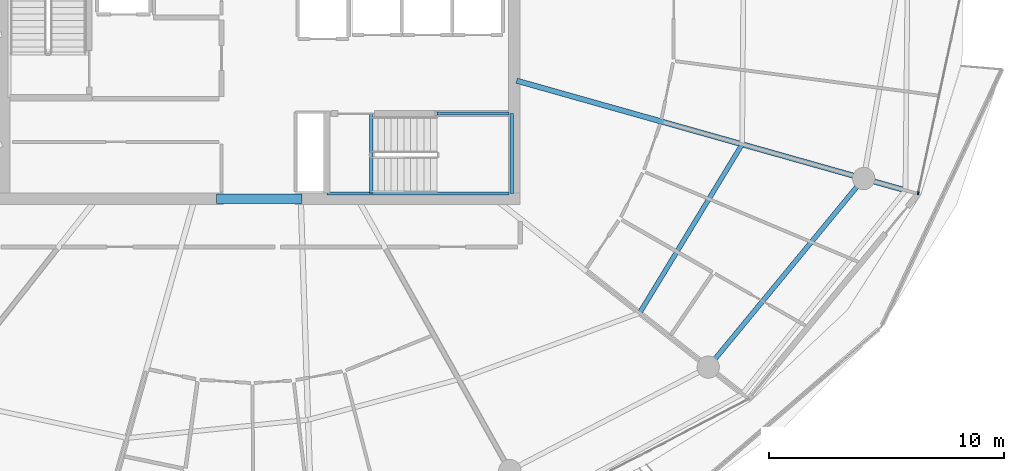
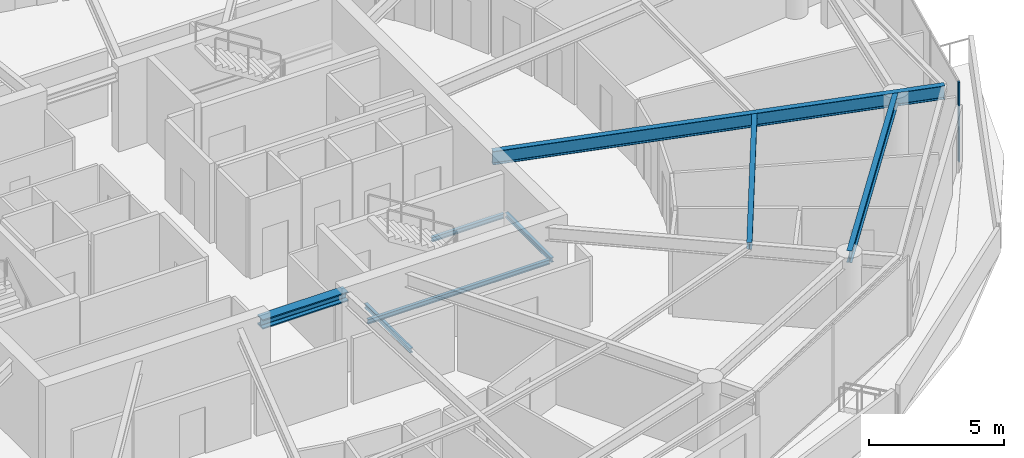
# One storey, part 10 of 30: 8 beams, 1 member, 1 element without a shape of its own.
"""IFC4 building model written with IfcOpenShell, lengths in metres."""

from ifc_helpers import new_model, si_unit, direction, frame, origin, origin_2d, place, context, subcontext, project, spatial, rectangle, i_section, extrude, material, layer, layer_set, material_profile, profile_set, type_object, element, aggregate, save


model = new_model("IFC4")

# Units and contexts
model_context = context("Model", 3, precision=1e-05, world=origin(), true_north=direction((0.0, 1.0)))
body_context = subcontext(model_context, "Body", "Model", "MODEL_VIEW")
ifc_project = project(units=[si_unit("LENGTHUNIT", "METRE"), si_unit("AREAUNIT", "SQUARE_METRE"), si_unit("VOLUMEUNIT", "CUBIC_METRE"), si_unit("PLANEANGLEUNIT", "RADIAN"), si_unit("MASSUNIT", "GRAM", prefix="KILO")], contexts=[model_context])

# Site, building, storey
site_placement = place(None, origin())
site = spatial("IfcSite", under=ifc_project, at=site_placement, CompositionType="ELEMENT")
building_placement = place(site_placement, origin())
building = spatial("IfcBuilding", under=site, at=building_placement, Name="Kazma Halo Residences", CompositionType="ELEMENT")
storey_placement = place(building_placement, frame((0.0, 0.0, 294.449951171875)))
storey = spatial("IfcBuildingStorey", under=building, at=storey_placement, Name="L74", CompositionType="ELEMENT", Elevation=294.449951171875)

# Beams
ifc_material_1 = material(Name="Steel S355", Category="steel")
ifc_material_profile_1 = material_profile(ifc_material_1, i_section(OverallWidth=0.408935546875, OverallDepth=0.425048828125, WebThickness=0.03271484375, FlangeThickness=0.052490234375, FilletRadius=0.02001953125, at=origin_2d()), Name="W360x421")
ifc_profile_set_1 = profile_set([ifc_material_profile_1], Name="Steel S355")
beam_type_1 = type_object("IfcBeamType", Name="BM-CORE-W360H", PredefinedType="BEAM", material=ifc_profile_set_1)
beam_1_placement = place(storey_placement, frame((46.60009765625, 33.75, 3.37744140625), z_axis=(1.0, 0.0, 0.0), x_axis=(0.0, 1.0, 0.0)))
element("IfcBeam", 1, at=beam_1_placement, inside=storey, type_object=beam_type_1, Name="L74 core coupling beam S", PredefinedType="BEAM", context=body_context, shape_type="SweptSolid", body=[
    extrude(i_section(OverallWidth=0.408935546875, OverallDepth=0.425048828125, WebThickness=0.03271484375, FlangeThickness=0.052490234375, FilletRadius=0.02001953125, at=origin_2d()), origin(), (0.0, 0.0, 1.0), 3.64990234375),
])
ifc_material_profile_2 = material_profile(ifc_material_1, i_section(OverallWidth=0.22802734375, OverallDepth=0.60791015625, WebThickness=0.01123046875, FlangeThickness=0.017333984375, FilletRadius=0.01806640625, at=origin_2d()), Name="W610x113")
ifc_profile_set_2 = profile_set([ifc_material_profile_2], Name="Steel S355")
beam_type_2 = type_object("IfcBeamType", Name="BM-RAD-W610", PredefinedType="BEAM", material=ifc_profile_set_2)
beam_2_placement = place(storey_placement, frame((59.39990234375, 38.784912109375, 3.2861328125), z_axis=(0.962452620609, -0.271449724781, 0.0), x_axis=(0.271449724781, 0.962452620609, 0.0)))
element("IfcBeam", 2, at=beam_2_placement, inside=storey, type_object=beam_type_2, Name="L74 radial floor beam 15", PredefinedType="BEAM", context=body_context, shape_type="SweptSolid", body=[
    extrude(i_section(OverallWidth=0.22802734375, OverallDepth=0.60791015625, WebThickness=0.01123046875, FlangeThickness=0.017333984375, FilletRadius=0.01806640625, at=origin_2d()), origin(), (0.0, 0.0, 1.0), 17.218017578125),
])
ifc_material_profile_3 = material_profile(ifc_material_1, i_section(OverallWidth=0.202880859375, OverallDepth=0.302978515625, WebThickness=0.007568359375, FlangeThickness=0.01318359375, FilletRadius=0.013916015625, at=origin_2d()), Name="W310x60")
ifc_profile_set_3 = profile_set([ifc_material_profile_3], Name="Steel S355")
beam_type_3 = type_object("IfcBeamType", Name="BM-SEC-W310A", PredefinedType="JOIST", material=ifc_profile_set_3)
beam_3_placement = place(storey_placement, frame((64.6396484375, 28.88232421875, 3.4384765625), z_axis=(0.519439801751, 0.854507046406, 0.0), x_axis=(-0.854507046406, 0.519439801751, 0.0)))
element("IfcBeam", 3, at=beam_3_placement, inside=storey, type_object=beam_type_3, Name="L74 circumferential floor joist 14", PredefinedType="JOIST", context=body_context, shape_type="SweptSolid", body=[
    extrude(i_section(OverallWidth=0.202880859375, OverallDepth=0.302978515625, WebThickness=0.007568359375, FlangeThickness=0.01318359375, FilletRadius=0.013916015625, at=origin_2d()), origin(), (0.0, 0.0, 1.0), 8.41650390625),
])
ifc_material_profile_4 = material_profile(ifc_material_1, i_section(OverallWidth=0.208984375, OverallDepth=0.532958984375, WebThickness=0.01025390625, FlangeThickness=0.015625, FilletRadius=0.01611328125, at=origin_2d()), Name="W530x92")
ifc_profile_set_4 = profile_set([ifc_material_profile_4], Name="Steel S355")
beam_type_4 = type_object("IfcBeamType", Name="BM-SPN-W530", PredefinedType="BEAM", material=ifc_profile_set_4)
beam_4_placement = place(storey_placement, frame((67.566162109375, 26.5751953125, 3.323486328125), z_axis=(0.636002144225, 0.771687289348, 0.0), x_axis=(-0.771687289348, 0.636002144225, 0.0)))
element("IfcBeam", 4, at=beam_4_placement, inside=storey, type_object=beam_type_4, Name="L74 perimeter ring beam 14", PredefinedType="BEAM", context=body_context, shape_type="SweptSolid", body=[
    extrude(i_section(OverallWidth=0.208984375, OverallDepth=0.532958984375, WebThickness=0.01025390625, FlangeThickness=0.015625, FilletRadius=0.01611328125, at=origin_2d()), origin(), (0.0, 0.0, 1.0), 10.416259765625),
])
ifc_material_profile_5 = material_profile(ifc_material_1, i_section(OverallWidth=0.133056640625, OverallDepth=0.20703125, WebThickness=0.005859375, FlangeThickness=0.00830078125, FilletRadius=0.010009765625, at=origin_2d()), Name="W200x26.6")
ifc_profile_set_5 = profile_set([ifc_material_profile_5], Name="Steel S355")
beam_type_5 = type_object("IfcBeamType", Name="BM-TRIM-W200", PredefinedType="BEAM", material=ifc_profile_set_5)
beam_5_placement = place(storey_placement, frame((53.199951171875, 34.0, -0.369873046875), z_axis=(0.0, 1.0, 0.0), x_axis=(-1.0, 0.0, 0.0)))
element("IfcBeam", 5, at=beam_5_placement, inside=storey, type_object=beam_type_5, Name="L74 ST-03 floor landing support beam", PredefinedType="BEAM", context=body_context, shape_type="SweptSolid", body=[
    extrude(i_section(OverallWidth=0.133056640625, OverallDepth=0.20703125, WebThickness=0.005859375, FlangeThickness=0.00830078125, FilletRadius=0.010009765625, at=origin_2d()), origin(), (0.0, 0.0, 1.0), 3.3798828125),
])
beam_6_placement = place(storey_placement, frame((51.31005859375, 33.97998046875, 1.6201171875), z_axis=(1.0, 0.0, 0.0), x_axis=(0.0, 1.0, 0.0)))
element("IfcBeam", 6, at=beam_6_placement, inside=storey, type_object=beam_type_5, Name="L74 ST-03 landing south wall ledger", PredefinedType="BEAM", context=body_context, shape_type="SweptSolid", body=[
    extrude(i_section(OverallWidth=0.133056640625, OverallDepth=0.20703125, WebThickness=0.005859375, FlangeThickness=0.00830078125, FilletRadius=0.010009765625, at=origin_2d()), origin(), (0.0, 0.0, 1.0), 7.760009765625),
])
beam_7_placement = place(storey_placement, frame((56.0, 37.3798828125, 1.6201171875), z_axis=(1.0, 0.0, 0.0), x_axis=(0.0, 1.0, 0.0)))
element("IfcBeam", 7, at=beam_7_placement, inside=storey, type_object=beam_type_5, Name="L74 ST-03 landing north wall ledger", PredefinedType="BEAM", context=body_context, shape_type="SweptSolid", body=[
    extrude(i_section(OverallWidth=0.133056640625, OverallDepth=0.20703125, WebThickness=0.005859375, FlangeThickness=0.00830078125, FilletRadius=0.010009765625, at=origin_2d()), origin(), (0.0, 0.0, 1.0), 3.070068359375),
])
beam_8_placement = place(storey_placement, frame((59.18994140625, 33.97998046875, 1.6201171875), z_axis=(0.0, 1.0, 0.0), x_axis=(-1.0, 0.0, 0.0)))
element("IfcBeam", 8, at=beam_8_placement, inside=storey, type_object=beam_type_5, Name="L74 ST-03 landing end wall ledger", PredefinedType="BEAM", context=body_context, shape_type="SweptSolid", body=[
    extrude(i_section(OverallWidth=0.133056640625, OverallDepth=0.20703125, WebThickness=0.005859375, FlangeThickness=0.00830078125, FilletRadius=0.010009765625, at=origin_2d()), origin(), (0.0, 0.0, 1.0), 3.39990234375),
])

# Curtain wall, member
ifc_material_2 = material(Name="Aluminium AW-6063 T6 and Triple-Silver Low-E Glass", Category="aluminium")
ifc_layer = layer(ifc_material_2, 0.139892578125)
ifc_layer_set = layer_set([ifc_layer], Name="Aluminium AW-6063 T6 and Triple-Silver Low-E Glass")
curtain_wall_type = type_object("IfcCurtainWallType", Name="CW-SYS-5", PredefinedType="NOTDEFINED", material=ifc_layer_set)
curtain_wall_placement = place(storey_placement, origin())
curtain_wall = element("IfcCurtainWall", 9, at=curtain_wall_placement, inside=storey, type_object=curtain_wall_type, Name="L74 unitised curtain wall B15", PredefinedType="NOTDEFINED")
ifc_material_3 = material(Name="Aluminium AW-6063 T6", Category="aluminium")
ifc_material_profile_6 = material_profile(ifc_material_3, rectangle(XDim=0.06005859375, YDim=0.139892578125, at=origin_2d()), Name="CWM-60x140")
ifc_profile_set_6 = profile_set([ifc_material_profile_6], Name="Aluminium AW-6063 T6")
member_type = type_object("IfcMemberType", Name="CW-SYS-5-MUL", PredefinedType="MULLION", material=ifc_profile_set_6)
member_placement = place(storey_placement, frame((76.514892578125, 33.989013671875, 0.0), z_axis=(0.0, 0.0, 1.0), x_axis=(-0.97777491373, 0.209657382603, 0.0)))
member = element("IfcMember", 10, at=member_placement, type_object=member_type, Name="CWS-5 mullion 1", PredefinedType="MULLION", context=body_context, shape_type="SweptSolid", body=[
    extrude(rectangle(XDim=0.06005859375, YDim=0.139892578125, at=origin_2d()), origin(), (0.0, 0.0, 1.0), 3.590087890625),
])
aggregate(curtain_wall, [member])

save(model, "model.ifc")
